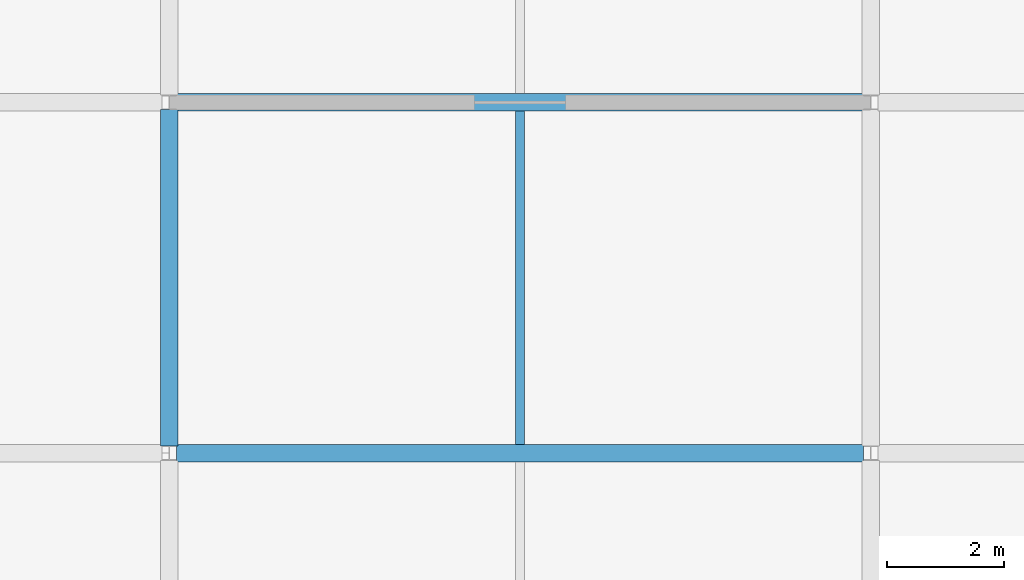
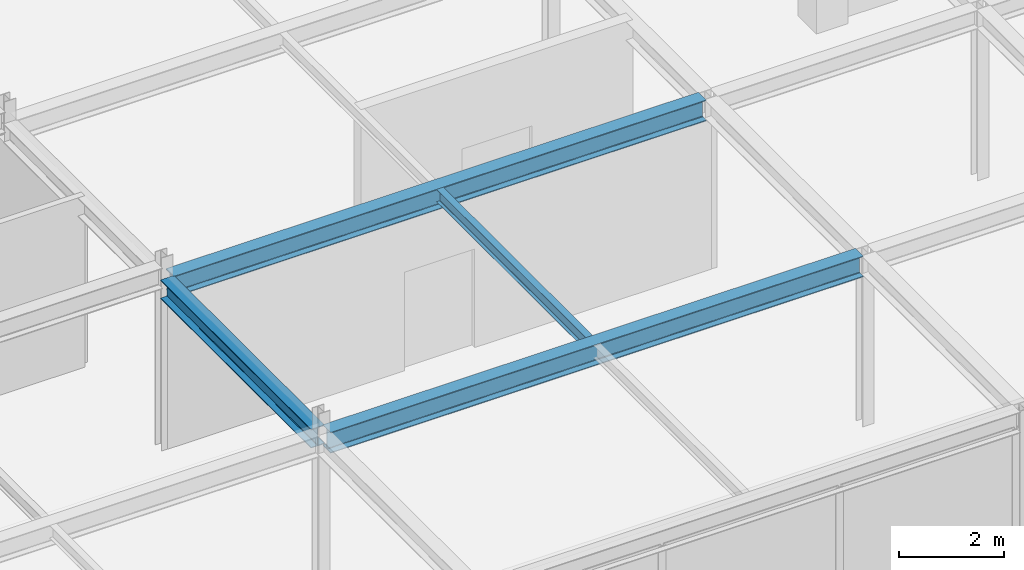
# One storey, part 93 of 111: 4 beams.
"""IFC4 building model written with IfcOpenShell, lengths in metres."""

from ifc_helpers import new_model, si_unit, direction, frame, origin, origin_2d, place, context, subcontext, project, spatial, i_section, extrude, material, material_profile, profile_set, type_object, element, save


model = new_model("IFC4")

# Units and contexts
model_context = context("Model", 3, precision=1e-05, world=origin(), true_north=direction((0.0, 1.0)))
body_context = subcontext(model_context, "Body", "Model", "MODEL_VIEW")
ifc_project = project(units=[si_unit("LENGTHUNIT", "METRE"), si_unit("AREAUNIT", "SQUARE_METRE"), si_unit("VOLUMEUNIT", "CUBIC_METRE"), si_unit("PLANEANGLEUNIT", "RADIAN"), si_unit("MASSUNIT", "GRAM", prefix="KILO")], contexts=[model_context])

# Site, building, storey
site_placement = place(None, origin())
site = spatial("IfcSite", under=ifc_project, at=site_placement, CompositionType="ELEMENT")
building_placement = place(site_placement, origin())
building = spatial("IfcBuilding", under=site, at=building_placement, Name="Zlatovratsky Civic Hall", CompositionType="ELEMENT")
storey_placement = place(building_placement, frame((0.0, 0.0, 16.5)))
storey = spatial("IfcBuildingStorey", under=building, at=storey_placement, Name="L04", CompositionType="ELEMENT", Elevation=16.5)

# Beams
ifc_material = material(Name="Steel S355", Category="steel")
ifc_material_profile_1 = material_profile(ifc_material, i_section(OverallWidth=0.300048828125, OverallDepth=0.487060546875, WebThickness=0.014404296875, FlangeThickness=0.017578125, FilletRadius=0.02392578125, at=origin_2d()), Name="50Sh2")
ifc_profile_set_1 = profile_set([ifc_material_profile_1], Name="Steel S355")
beam_type_1 = type_object("IfcBeamType", Name="Beam_ArchiveGirder_50Sh2", PredefinedType="BEAM", material=ifc_profile_set_1)
for number, where, z_axis, x_axis, name in (
    (1, (132.125, 72.0, 3.756591796875), (1.0, 0.0, 0.0), (0.0, 1.0, 0.0), "BM-3358"),
    (2, (132.125, 78.0, 3.756591796875), (1.0, 0.0, 0.0), (0.0, 1.0, 0.0), "BM-3380"),
):
    element("IfcBeam", number, at=place(storey_placement, frame(where, z_axis=z_axis, x_axis=x_axis)), inside=storey, type_object=beam_type_1, Name=name, PredefinedType="BEAM", context=body_context, shape_type="SweptSolid", body=[
        extrude(i_section(OverallWidth=0.300048828125, OverallDepth=0.487060546875, WebThickness=0.014404296875, FlangeThickness=0.017578125, FilletRadius=0.02392578125, at=origin_2d()), origin(), (0.0, 0.0, 1.0), 11.75),
    ])
ifc_material_profile_2 = material_profile(ifc_material, i_section(OverallWidth=0.300048828125, OverallDepth=0.43994140625, WebThickness=0.010986328125, FlangeThickness=0.01806640625, FilletRadius=0.02197265625, at=origin_2d()), Name="45Sh1")
ifc_profile_set_2 = profile_set([ifc_material_profile_2], Name="Steel S355")
beam_type_2 = type_object("IfcBeamType", Name="Beam_TowerLow_45Sh1", PredefinedType="BEAM", material=ifc_profile_set_2)
beam_1_placement = place(storey_placement, frame((132.0, 72.125, 3.780029296875), z_axis=(0.0, 1.0, 0.0), x_axis=(-1.0, 0.0, 0.0)))
element("IfcBeam", 3, at=beam_1_placement, inside=storey, type_object=beam_type_2, Name="BM-3760", PredefinedType="BEAM", context=body_context, shape_type="SweptSolid", body=[
    extrude(i_section(OverallWidth=0.300048828125, OverallDepth=0.43994140625, WebThickness=0.010986328125, FlangeThickness=0.01806640625, FilletRadius=0.02197265625, at=origin_2d()), origin(), (0.0, 0.0, 1.0), 5.75),
])
ifc_material_profile_3 = material_profile(ifc_material, i_section(OverallWidth=0.14892578125, OverallDepth=0.2958984375, WebThickness=0.005615234375, FlangeThickness=0.008056640625, FilletRadius=0.012939453125, at=origin_2d()), Name="30B1")
ifc_profile_set_3 = profile_set([ifc_material_profile_3], Name="Steel S355")
beam_type_3 = type_object("IfcBeamType", Name="Joist_Tower_30B1", PredefinedType="JOIST", material=ifc_profile_set_3)
beam_2_placement = place(storey_placement, frame((138.0, 72.14990234375, 3.85205078125), z_axis=(0.0, 1.0, 0.0), x_axis=(-1.0, 0.0, 0.0)))
element("IfcBeam", 4, at=beam_2_placement, inside=storey, type_object=beam_type_3, Name="BM-3869", PredefinedType="JOIST", context=body_context, shape_type="SweptSolid", body=[
    extrude(i_section(OverallWidth=0.14892578125, OverallDepth=0.2958984375, WebThickness=0.005615234375, FlangeThickness=0.008056640625, FilletRadius=0.012939453125, at=origin_2d()), origin(), (0.0, 0.0, 1.0), 5.7001953125),
])

save(model, "model.ifc")
